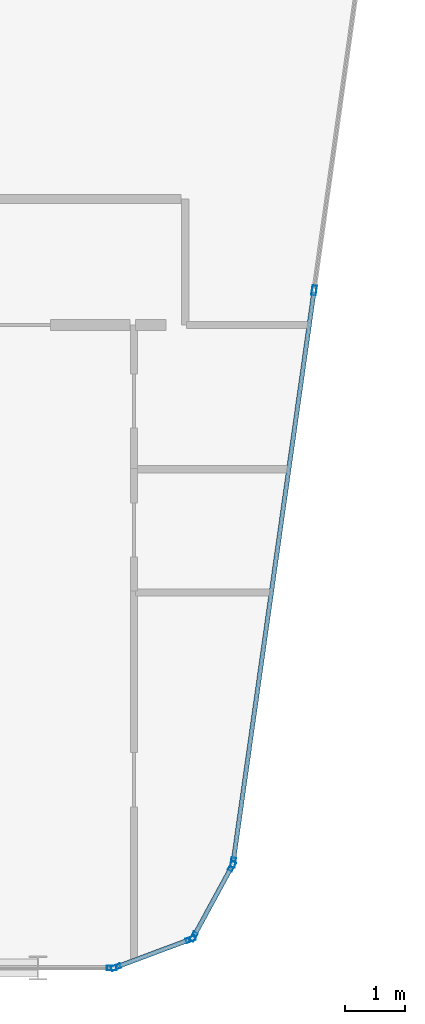
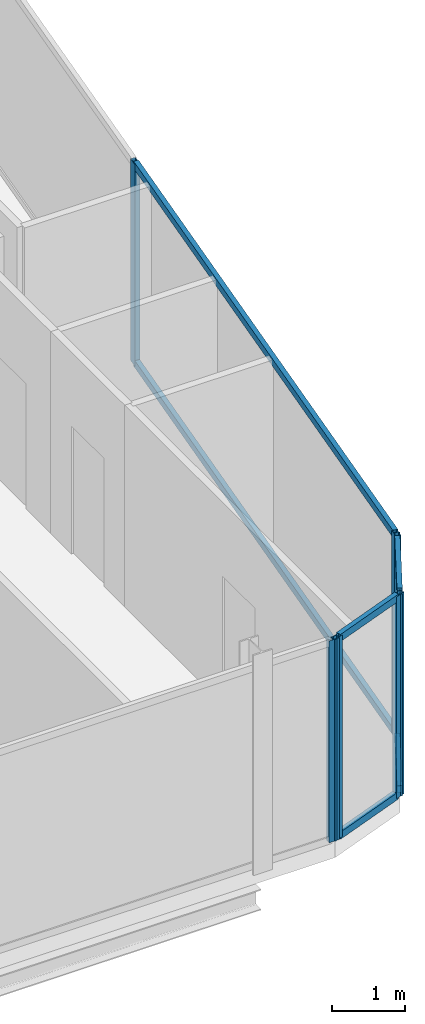
# One storey, part 12 of 27: 13 members, 4 elements without a shape of their own.
"""IFC4 building model written with IfcOpenShell, lengths in metres."""

import ifcopenshell
import ifcopenshell.guid

model = None  # the IFC model being written
_history = None  # IfcOwnerHistory: only IFC2X3 demands one
_inside = {}  # id of a spatial element -> (the spatial element, [elements in it])
_under = {}  # id of a project, library or spatial element -> (it, [spatial elements below it])
_declared = {}  # id of a project -> (the project, [libraries it declares])
_typed = {}  # id of a type object -> (the type object, [elements of that type])
_made_of = {}  # id of a material, layer set ... -> (it, [elements and type objects made of it])


def new_model(schema):
    """Start an empty IFC model of exactly this schema.

    Asked for "IFC4X3", IfcOpenShell would pick the latest addendum, in which some entities
    have other attributes; the version numbers below select the first issue.
    IFC2X3 requires an IfcOwnerHistory on every rooted entity: one is made here for all.
    """
    global model, _history
    if schema == "IFC4X3":
        model = ifcopenshell.file(schema_version=(4, 3, 0, 0))
    else:
        model = ifcopenshell.file(schema=schema)
    _inside.clear()
    _under.clear()
    _declared.clear()
    _typed.clear()
    _made_of.clear()
    _history = None
    if model.schema == "IFC2X3":
        org = make("IfcOrganization", Name="unknown")
        user = make(
            "IfcPersonAndOrganization",
            ThePerson=make("IfcPerson", FamilyName="unknown"),
            TheOrganization=org,
        )
        app = make(
            "IfcApplication",
            ApplicationDeveloper=org,
            Version="unknown",
            ApplicationFullName="unknown",
            ApplicationIdentifier="unknown",
        )
        _history = make(
            "IfcOwnerHistory",
            OwningUser=user,
            OwningApplication=app,
            ChangeAction="ADDED",
            CreationDate=0,
        )
    return model


def make(cls, **values):
    """One entity of the class cls with the attributes given. An attribute that is None is left unset."""
    return model.create_entity(
        cls, **{name: value for name, value in values.items() if value is not None}
    )


def rooted(cls, **values):
    """An entity with a GlobalId (a new one), such as an element, a storey or a relation."""
    return make(cls, GlobalId=ifcopenshell.guid.new(), OwnerHistory=_history, **values)


def si_unit(unit_type, name, prefix=None):
    """IfcSIUnit, for example si_unit("LENGTHUNIT", "METRE", prefix="MILLI")."""
    return make("IfcSIUnit", UnitType=unit_type, Prefix=prefix, Name=name)


def assignment(units):
    """IfcUnitAssignment: the units of a project."""
    return None if units is None else make("IfcUnitAssignment", Units=units)


def point(xyz):
    """IfcCartesianPoint."""
    return None if xyz is None else make("IfcCartesianPoint", Coordinates=xyz)


def direction(xyz):
    """IfcDirection."""
    return None if xyz is None else make("IfcDirection", DirectionRatios=xyz)


def frame(location, z_axis=None, x_axis=None):
    """IfcAxis2Placement3D, a coordinate frame: its origin and axes. An axis left out is left unset."""
    return make(
        "IfcAxis2Placement3D",
        Location=point(location),
        Axis=direction(z_axis),
        RefDirection=direction(x_axis),
    )


def frame_2d(location, x_axis=None):
    """IfcAxis2Placement2D, a coordinate frame in the plane: its origin and x axis."""
    return make(
        "IfcAxis2Placement2D", Location=point(location), RefDirection=direction(x_axis)
    )


def origin():
    """The frame at (0, 0, 0) with its axes left unset."""
    return frame((0.0, 0.0, 0.0))


def origin_2d():
    """The frame at (0, 0) in the plane with its x axis left unset."""
    return frame_2d((0.0, 0.0))


def place(relative_to, where):
    """IfcLocalPlacement: puts the frame where relative to a parent placement (None: the world)."""
    return make(
        "IfcLocalPlacement", PlacementRelTo=relative_to, RelativePlacement=where
    )


def context(
    kind, dimensions, precision=None, world=None, true_north=None, identifier=None
):
    """IfcGeometricRepresentationContext, for example the 3D "Model" context."""
    return make(
        "IfcGeometricRepresentationContext",
        ContextIdentifier=identifier,
        ContextType=kind,
        CoordinateSpaceDimension=dimensions,
        Precision=precision,
        WorldCoordinateSystem=world,
        TrueNorth=true_north,
    )


def subcontext(parent, identifier, kind, view, scale=None):
    """IfcGeometricRepresentationSubContext, for example "Body" below "Model"."""
    return make(
        "IfcGeometricRepresentationSubContext",
        ContextIdentifier=identifier,
        ContextType=kind,
        ParentContext=parent,
        TargetScale=scale,
        TargetView=view,
    )


def project(units=None, contexts=None):
    """IfcProject with its units and contexts."""
    return rooted(
        "IfcProject",
        Name="project",
        RepresentationContexts=contexts,
        UnitsInContext=assignment(units),
    )


def spatial(cls, under=None, at=None, **own):
    """A site, building, storey or space (cls), placed at a placement, below another one or the project."""
    s = rooted(cls, ObjectPlacement=at, **own)
    if under is not None:
        _under.setdefault(under.id(), (under, []))[1].append(s)
    return s


def profile(cls, at=None, kind="AREA", **sizes):
    """A parametric profile (cls). Its sizes go by their IFC names, for example OverallWidth=200.0."""
    return make(cls, ProfileType=kind, Position=at, **sizes)


def hollow_rectangle(**sizes):
    """IfcRectangleHollowProfileDef."""
    return profile("IfcRectangleHollowProfileDef", **sizes)


def extrude(swept, where, along, depth):
    """IfcExtrudedAreaSolid: the profile swept, set in the frame where, extruded along a direction by depth."""
    return make(
        "IfcExtrudedAreaSolid",
        SweptArea=swept,
        Position=where,
        ExtrudedDirection=direction(along),
        Depth=depth,
    )


def shape(context_of_items, identifier, shape_type, items):
    """IfcShapeRepresentation: the items that make up one representation, for example the "Body"."""
    return make(
        "IfcShapeRepresentation",
        ContextOfItems=context_of_items,
        RepresentationIdentifier=identifier,
        RepresentationType=shape_type,
        Items=items,
    )


def material(Name=None, Category=None):
    """IfcMaterial."""
    return make("IfcMaterial", Name=Name, Category=Category)


def layer(
    of_material, thickness, ventilated=None, Name=None, Category=None, Priority=None
):
    """IfcMaterialLayer: one layer of a wall or slab, of a material (None: an air gap)."""
    return make(
        "IfcMaterialLayer",
        Material=of_material,
        LayerThickness=thickness,
        IsVentilated=ventilated,
        Name=Name,
        Category=Category,
        Priority=Priority,
    )


def layer_set(layers, Name=None):
    """IfcMaterialLayerSet."""
    return make("IfcMaterialLayerSet", MaterialLayers=layers, LayerSetName=Name)


def material_profile(
    of_material, cross_section, Name=None, Category=None, Priority=None
):
    """IfcMaterialProfile: a cross section and its material."""
    return make(
        "IfcMaterialProfile",
        Name=Name,
        Material=of_material,
        Profile=cross_section,
        Priority=Priority,
        Category=Category,
    )


def profile_set(profiles, Name=None, composite=None):
    """IfcMaterialProfileSet."""
    return make(
        "IfcMaterialProfileSet",
        Name=Name,
        MaterialProfiles=profiles,
        CompositeProfile=composite,
    )


def made_of(thing, what):
    """Note that an element or type object is made of a material, layer set ...; save() writes the relation."""
    if what is not None:
        _made_of.setdefault(what.id(), (what, []))[1].append(thing)
    return thing


def type_object(cls, material=None, **own):
    """A type object (cls), such as IfcWallType, which elements share."""
    return made_of(rooted(cls, **own), material)


def element(
    cls,
    number,
    at=None,
    inside=None,
    cuts=None,
    type_object=None,
    material=None,
    context=None,
    identifier="Body",
    shape_type=None,
    held_by="IfcProductDefinitionShape",
    body=None,
    shapes=None,
    **own,
):
    """One element of the class cls, such as IfcWall. Its Tag is "e" and its number.

    at: its placement. inside: the storey or other place that contains it. cuts: it is an
    opening in that element (IfcRelVoidsElement). A single representation is given by context,
    identifier, shape_type and body (its items); several are given by shapes. held_by: the class
    of the entity that holds the representations. save() writes the other relations.
    """
    e = rooted(cls, Tag="e%d" % number, ObjectPlacement=at, **own)
    if body is not None:
        shapes = [shape(context, identifier, shape_type, body)]
    if shapes is not None:
        e.Representation = make(held_by, Representations=shapes)
    if inside is not None:
        _inside.setdefault(inside.id(), (inside, []))[1].append(e)
    if cuts is not None:
        rooted(
            "IfcRelVoidsElement", RelatingBuildingElement=cuts, RelatedOpeningElement=e
        )
    if type_object is not None:
        _typed.setdefault(type_object.id(), (type_object, []))[1].append(e)
    return made_of(e, material)


def aggregate(whole, parts):
    """IfcRelAggregates: a whole, such as a stair, and the parts it consists of."""
    return rooted("IfcRelAggregates", RelatingObject=whole, RelatedObjects=parts)


def save(model, path):
    """Write the relations noted so far, then the file.

    IfcRelAggregates (storeys below a building ...), IfcRelContainedInSpatialStructure (elements
    in a storey), IfcRelDefinesByType, IfcRelAssociatesMaterial and IfcRelDeclares: one each for
    every whole, place, type object, material and project.
    """
    for whole, parts in _under.values():
        aggregate(whole, parts)
    for where, things in _inside.values():
        rooted(
            "IfcRelContainedInSpatialStructure",
            RelatedElements=things,
            RelatingStructure=where,
        )
    for kind, things in _typed.values():
        rooted("IfcRelDefinesByType", RelatedObjects=things, RelatingType=kind)
    for what, things in _made_of.values():
        rooted("IfcRelAssociatesMaterial", RelatedObjects=things, RelatingMaterial=what)
    for by, libraries in _declared.values():
        rooted("IfcRelDeclares", RelatingContext=by, RelatedDefinitions=libraries)
    model.write(path)


model = new_model("IFC4")

# Units and contexts
model_context = context("Model", 3, precision=1e-05, world=origin(), true_north=direction((0.0, 1.0)))
body_context = subcontext(model_context, "Body", "Model", "MODEL_VIEW")
ifc_project = project(units=[si_unit("LENGTHUNIT", "METRE"), si_unit("AREAUNIT", "SQUARE_METRE"), si_unit("VOLUMEUNIT", "CUBIC_METRE"), si_unit("PLANEANGLEUNIT", "RADIAN"), si_unit("MASSUNIT", "GRAM", prefix="KILO")], contexts=[model_context])

# Site, building, storey
site_placement = place(None, origin())
site = spatial("IfcSite", under=ifc_project, at=site_placement, CompositionType="ELEMENT")
building_placement = place(site_placement, origin())
building = spatial("IfcBuilding", under=site, at=building_placement, Name="Keshet Zoharim Tower", CompositionType="ELEMENT")
storey_placement = place(building_placement, frame((0.0, 0.0, 284.300048828125)))
storey = spatial("IfcBuildingStorey", under=building, at=storey_placement, Name="L71", CompositionType="ELEMENT", Elevation=284.300048828125)

# Curtain wall, members
ifc_material = material(Name="Aluminium 6063-T6", Category="aluminium")
ifc_layer = layer(ifc_material, 0.260009765625)
ifc_layer_set = layer_set([ifc_layer], Name="Aluminium 6063-T6")
curtain_wall_type = type_object("IfcCurtainWallType", Name="CW-SYS-06", PredefinedType="NOTDEFINED", material=ifc_layer_set)
curtain_wall_1_placement = place(storey_placement, origin())
curtain_wall_1 = element("IfcCurtainWall", 1, at=curtain_wall_1_placement, inside=storey, type_object=curtain_wall_type, Name="L71 Unitised Curtain Wall 11", PredefinedType="NOTDEFINED")
ifc_material_profile_1 = material_profile(ifc_material, hollow_rectangle(XDim=0.074951171875, YDim=0.159912109375, WallThickness=0.00390625, at=origin_2d()), Name="MUL-75x160")
ifc_profile_set_1 = profile_set([ifc_material_profile_1], Name="Aluminium 6063-T6")
member_type_1 = type_object("IfcMemberType", Name="CWM-M15", PredefinedType="MULLION", material=ifc_profile_set_1)
member_1_placement = place(storey_placement, frame((43.595458984375, 17.97607421875, 0.0), z_axis=(0.0, 0.0, 1.0), x_axis=(0.990132057422, -0.140137464177, 0.0)))
member_1 = element("IfcMember", 2, at=member_1_placement, type_object=member_type_1, Name="CW-06 mullion 2", PredefinedType="MULLION", context=body_context, shape_type="SweptSolid", body=[
    extrude(hollow_rectangle(XDim=0.074951171875, YDim=0.159912109375, WallThickness=0.00390625, at=origin_2d()), origin(), (0.0, 0.0, 1.0), 3.389892578125),
])
member_2_placement = place(storey_placement, frame((42.247802734375, 8.45458984375, 0.0), z_axis=(0.0, 0.0, 1.0), x_axis=(0.990132057422, -0.140137464177, 0.0)))
member_2 = element("IfcMember", 3, at=member_2_placement, type_object=member_type_1, Name="CW-06 mullion 3", PredefinedType="MULLION", context=body_context, shape_type="SweptSolid", body=[
    extrude(hollow_rectangle(XDim=0.074951171875, YDim=0.159912109375, WallThickness=0.00390625, at=origin_2d()), origin(), (0.0, 0.0, 1.0), 3.389892578125),
])

curtain_wall_2_placement = place(storey_placement, origin())
curtain_wall_2 = element("IfcCurtainWall", 4, at=curtain_wall_2_placement, inside=storey, type_object=curtain_wall_type, Name="L71 Unitised Curtain Wall 12", PredefinedType="NOTDEFINED")
member_3_placement = place(storey_placement, frame((42.226318359375, 8.38916015625, 0.0), z_axis=(0.0, 0.0, 1.0), x_axis=(0.878468125004, -0.477800955789, 0.0)))
member_3 = element("IfcMember", 5, at=member_3_placement, type_object=member_type_1, Name="CW-06 mullion 1", PredefinedType="MULLION", context=body_context, shape_type="SweptSolid", body=[
    extrude(hollow_rectangle(XDim=0.074951171875, YDim=0.159912109375, WallThickness=0.00390625, at=origin_2d()), origin(), (0.0, 0.0, 1.0), 3.389892578125),
])
member_4_placement = place(storey_placement, frame((41.5908203125, 7.220703125, 0.0), z_axis=(0.0, 0.0, 1.0), x_axis=(0.878468125004, -0.477800955789, 0.0)))
member_4 = element("IfcMember", 6, at=member_4_placement, type_object=member_type_1, Name="CW-06 mullion 2", PredefinedType="MULLION", context=body_context, shape_type="SweptSolid", body=[
    extrude(hollow_rectangle(XDim=0.074951171875, YDim=0.159912109375, WallThickness=0.00390625, at=origin_2d()), origin(), (0.0, 0.0, 1.0), 3.389892578125),
])

curtain_wall_3_placement = place(storey_placement, origin())
curtain_wall_3 = element("IfcCurtainWall", 7, at=curtain_wall_3_placement, inside=storey, type_object=curtain_wall_type, Name="L71 Unitised Curtain Wall 13", PredefinedType="NOTDEFINED")
member_5_placement = place(storey_placement, frame((41.541259765625, 7.177734375, 0.0), z_axis=(0.0, 0.0, 1.0), x_axis=(0.350105315376, -0.936710343781, 0.0)))
member_5 = element("IfcMember", 8, at=member_5_placement, type_object=member_type_1, Name="CW-06 mullion 1", PredefinedType="MULLION", context=body_context, shape_type="SweptSolid", body=[
    extrude(hollow_rectangle(XDim=0.074951171875, YDim=0.159912109375, WallThickness=0.00390625, at=origin_2d()), origin(), (0.0, 0.0, 1.0), 3.389892578125),
])
member_6_placement = place(storey_placement, frame((40.2958984375, 6.712158203125, 0.0), z_axis=(0.0, 0.0, 1.0), x_axis=(0.350105315376, -0.936710343781, 0.0)))
member_6 = element("IfcMember", 9, at=member_6_placement, type_object=member_type_1, Name="CW-06 mullion 2", PredefinedType="MULLION", context=body_context, shape_type="SweptSolid", body=[
    extrude(hollow_rectangle(XDim=0.074951171875, YDim=0.159912109375, WallThickness=0.00390625, at=origin_2d()), origin(), (0.0, 0.0, 1.0), 3.389892578125),
])

# Curtain wall, member
curtain_wall_4_placement = place(storey_placement, origin())
curtain_wall_4 = element("IfcCurtainWall", 10, at=curtain_wall_4_placement, inside=storey, type_object=curtain_wall_type, Name="L71 Unitised Curtain Wall 14", PredefinedType="NOTDEFINED")
member_7_placement = place(storey_placement, frame((40.22802734375, 6.699951171875, 0.0), z_axis=(0.0, 0.0, 1.0), x_axis=(0.0, -1.0, 0.0)))
member_7 = element("IfcMember", 11, at=member_7_placement, type_object=member_type_1, Name="CW-06 mullion 1", PredefinedType="MULLION", context=body_context, shape_type="SweptSolid", body=[
    extrude(hollow_rectangle(XDim=0.074951171875, YDim=0.159912109375, WallThickness=0.00390625, at=origin_2d()), origin(), (0.0, 0.0, 1.0), 3.389892578125),
])
aggregate(curtain_wall_4, [member_7])

# Member
ifc_material_profile_2 = material_profile(ifc_material, hollow_rectangle(XDim=0.074951171875, YDim=0.1201171875, WallThickness=0.00390625, at=origin_2d()), Name="TRN-75x120")
ifc_profile_set_2 = profile_set([ifc_material_profile_2], Name="Aluminium 6063-T6")
member_type_2 = type_object("IfcMemberType", Name="CWT-T12", PredefinedType="USERDEFINED", material=ifc_profile_set_2)
member_8_placement = place(storey_placement, frame((43.590576171875, 17.94140625, 0.034912109375), z_axis=(-0.14012154881, -0.990134309859, 0.0), x_axis=(0.990134309859, -0.14012154881, 0.0)))
member_8 = element("IfcMember", 12, at=member_8_placement, type_object=member_type_2, Name="CW-06 transom 2.1", ObjectType="TRANSOM", PredefinedType="USERDEFINED", context=body_context, shape_type="SweptSolid", body=[
    extrude(hollow_rectangle(XDim=0.074951171875, YDim=0.1201171875, WallThickness=0.00390625, at=origin_2d()), origin(), (0.0, 0.0, 1.0), 9.54638671875),
])

member_9_placement = place(storey_placement, frame((43.590576171875, 17.94140625, 3.35498046875), z_axis=(-0.14012154881, -0.990134309859, 0.0), x_axis=(0.990134309859, -0.14012154881, 0.0)))
member_9 = element("IfcMember", 13, at=member_9_placement, type_object=member_type_2, Name="CW-06 transom 2.2", ObjectType="TRANSOM", PredefinedType="USERDEFINED", context=body_context, shape_type="SweptSolid", body=[
    extrude(hollow_rectangle(XDim=0.074951171875, YDim=0.1201171875, WallThickness=0.00390625, at=origin_2d()), origin(), (0.0, 0.0, 1.0), 9.54638671875),
])

aggregate(curtain_wall_1, [member_1, member_2, member_8, member_9])

member_10_placement = place(storey_placement, frame((42.20947265625, 8.3583984375, 0.034912109375), z_axis=(-0.47779293276, -0.878472488701, 0.0), x_axis=(0.878472488701, -0.47779293276, 0.0)))
member_10 = element("IfcMember", 14, at=member_10_placement, type_object=member_type_2, Name="CW-06 transom 1.1", ObjectType="TRANSOM", PredefinedType="USERDEFINED", context=body_context, shape_type="SweptSolid", body=[
    extrude(hollow_rectangle(XDim=0.074951171875, YDim=0.1201171875, WallThickness=0.00390625, at=origin_2d()), origin(), (0.0, 0.0, 1.0), 1.260009765625),
])

member_11_placement = place(storey_placement, frame((42.20947265625, 8.3583984375, 3.35498046875), z_axis=(-0.47779293276, -0.878472488701, 0.0), x_axis=(0.878472488701, -0.47779293276, 0.0)))
member_11 = element("IfcMember", 15, at=member_11_placement, type_object=member_type_2, Name="CW-06 transom 1.2", ObjectType="TRANSOM", PredefinedType="USERDEFINED", context=body_context, shape_type="SweptSolid", body=[
    extrude(hollow_rectangle(XDim=0.074951171875, YDim=0.1201171875, WallThickness=0.00390625, at=origin_2d()), origin(), (0.0, 0.0, 1.0), 1.260009765625),
])

aggregate(curtain_wall_2, [member_3, member_4, member_10, member_11])

member_12_placement = place(storey_placement, frame((41.508544921875, 7.16552734375, 0.034912109375), z_axis=(-0.93673477759, -0.350039935512, 0.0), x_axis=(0.350039935512, -0.93673477759, 0.0)))
member_12 = element("IfcMember", 16, at=member_12_placement, type_object=member_type_2, Name="CW-06 transom 1.1", ObjectType="TRANSOM", PredefinedType="USERDEFINED", context=body_context, shape_type="SweptSolid", body=[
    extrude(hollow_rectangle(XDim=0.074951171875, YDim=0.1201171875, WallThickness=0.00390625, at=origin_2d()), origin(), (0.0, 0.0, 1.0), 1.259521484375),
])

member_13_placement = place(storey_placement, frame((41.508544921875, 7.16552734375, 3.35498046875), z_axis=(-0.93673477759, -0.350039935512, 0.0), x_axis=(0.350039935512, -0.93673477759, 0.0)))
member_13 = element("IfcMember", 17, at=member_13_placement, type_object=member_type_2, Name="CW-06 transom 1.2", ObjectType="TRANSOM", PredefinedType="USERDEFINED", context=body_context, shape_type="SweptSolid", body=[
    extrude(hollow_rectangle(XDim=0.074951171875, YDim=0.1201171875, WallThickness=0.00390625, at=origin_2d()), origin(), (0.0, 0.0, 1.0), 1.259521484375),
])

aggregate(curtain_wall_3, [member_5, member_6, member_12, member_13])

save(model, "model.ifc")
